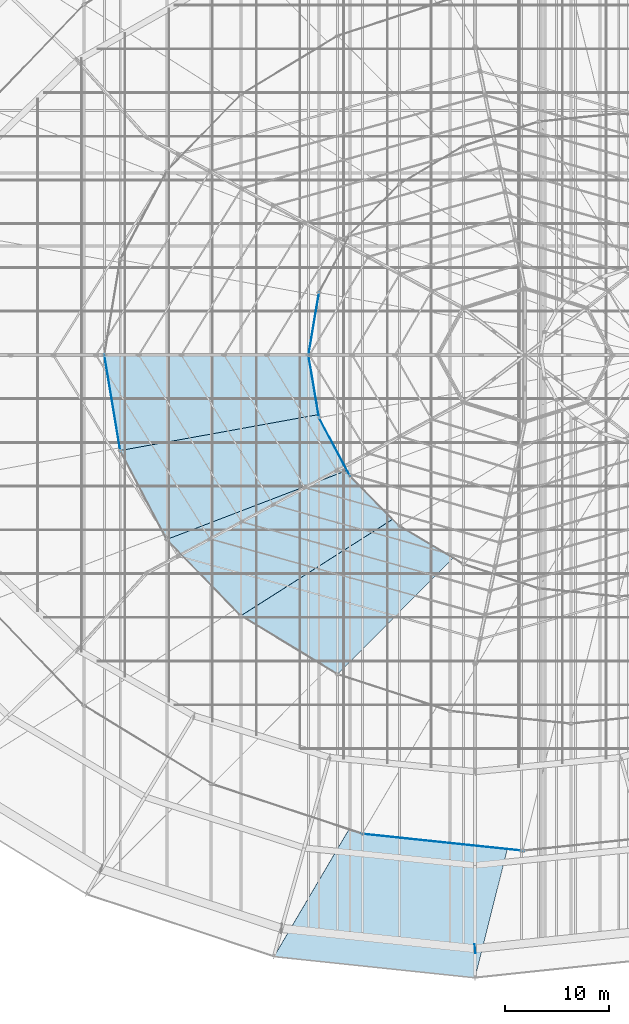
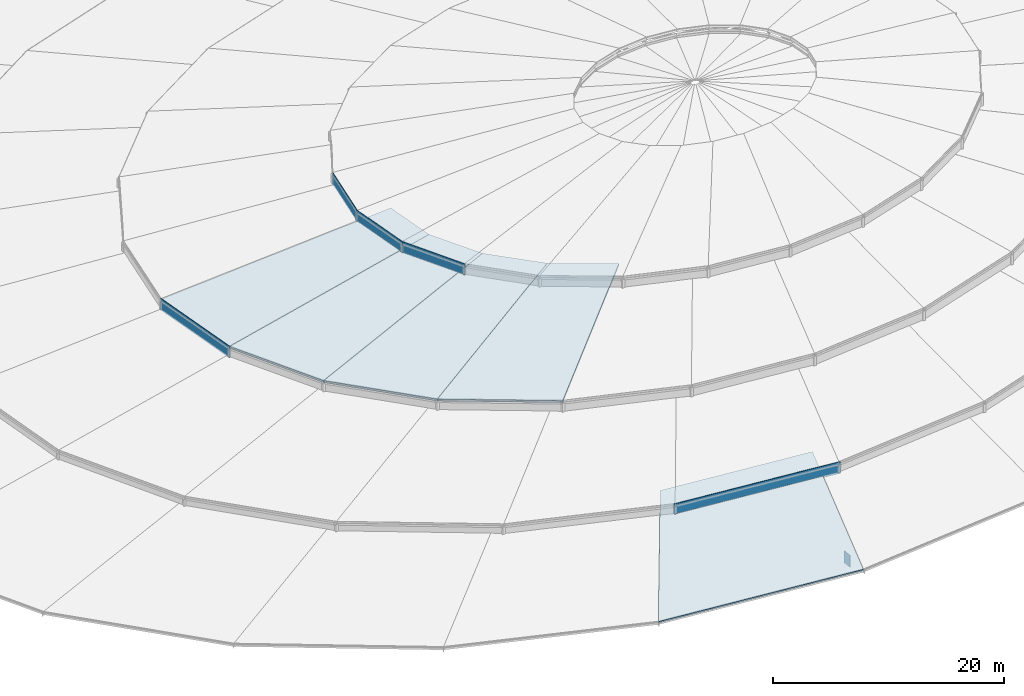
# One storey, part 140 of 184: 6 plates, 5 slabs.
"""IFC4 building model written with IfcOpenShell, lengths in metres."""

from ifc_helpers import new_model, si_unit, direction, frame, origin, origin_2d, place, context, subcontext, project, spatial, polyline, rectangle, outline, extrude, material, layer, layer_set, type_object, element, save


model = new_model("IFC4")

# Units and contexts
model_context = context("Model", 3, precision=1e-05, world=origin(), true_north=direction((0.0, 1.0)))
body_context = subcontext(model_context, "Body", "Model", "MODEL_VIEW")
ifc_project = project(units=[si_unit("LENGTHUNIT", "METRE"), si_unit("AREAUNIT", "SQUARE_METRE"), si_unit("VOLUMEUNIT", "CUBIC_METRE"), si_unit("PLANEANGLEUNIT", "RADIAN"), si_unit("MASSUNIT", "GRAM", prefix="KILO")], contexts=[model_context])

# Site, building, storey
site_placement = place(None, origin())
site = spatial("IfcSite", under=ifc_project, at=site_placement, CompositionType="ELEMENT")
building_placement = place(site_placement, origin())
building = spatial("IfcBuilding", under=site, at=building_placement, Name="Kalgoora Escarpment Arena", CompositionType="ELEMENT")
storey_placement = place(building_placement, frame((0.0, 0.0, 27.60009765625)))
storey = spatial("IfcBuildingStorey", under=building, at=storey_placement, Name="Roof Level", CompositionType="ELEMENT", Elevation=27.60009765625)

# Plates
ifc_material_1 = material(Name="Low-E double-glazed petal clerestory glass", Category="glass")
ifc_layer_1 = layer(ifc_material_1, 0.035888671875)
ifc_layer_set_1 = layer_set([ifc_layer_1], Name="PLT-PETAL-CLERESTORY")
plate_type_1 = type_object("IfcPlateType", Name="PLT-PETAL-CLERESTORY", PredefinedType="USERDEFINED", material=ifc_layer_set_1)
plate_1_placement = place(storey_placement, frame((89.287109375, 17.2109375, 0.260009765625), z_axis=(0.0, 0.0, 1.0), x_axis=(0.994521895368, -0.104528463268, 0.0)))
element("IfcPlate", 1, at=plate_1_placement, inside=storey, type_object=plate_type_1, Name="Petal RP2 glazed clerestory collar panel S18", ObjectType="CLERESTORY PANEL", PredefinedType="USERDEFINED", context=body_context, shape_type="SweptSolid", body=[
    extrude(rectangle(XDim=15.743408203125, YDim=0.0400390625, at=origin_2d()), origin(), (0.0, 0.0, 1.0), 1.25),
])
plate_2_placement = place(storey_placement, frame((57.563232421875, 59.4189453125, 2.7099609375), z_axis=(0.0, 0.0, 1.0), x_axis=(0.164359008451, -0.986400586142, 0.0)))
element("IfcPlate", 2, at=plate_2_placement, inside=storey, type_object=plate_type_1, Name="Petal RP3 glazed clerestory collar panel S13", ObjectType="CLERESTORY PANEL", PredefinedType="USERDEFINED", context=body_context, shape_type="SweptSolid", body=[
    extrude(rectangle(XDim=9.427734375, YDim=0.0400390625, at=origin_2d()), origin(), (0.0, 0.0, 1.0), 1.25),
])
for number, where, z_axis, x_axis, name in (
    (3, (76.90771484375, 67.002197265625, 5.159912109375), (0.0, 0.0, 1.0), (-0.166768746716, -0.985996037071, 0.0), "Petal RP4 glazed clerestory collar panel S12"),
    (4, (76.90771484375, 60.997802734375, 5.159912109375), (0.0, 0.0, 1.0), (0.166768746716, -0.985996037071, 0.0), "Petal RP4 glazed clerestory collar panel S13"),
):
    element("IfcPlate", number, at=place(storey_placement, frame(where, z_axis=z_axis, x_axis=x_axis)), inside=storey, type_object=plate_type_1, Name=name, ObjectType="CLERESTORY PANEL", PredefinedType="USERDEFINED", context=body_context, shape_type="SweptSolid", body=[
        extrude(rectangle(XDim=6.18115234375, YDim=0.0400390625, at=origin_2d()), origin(), (0.0, 0.0, 1.0), 1.25),
    ])
plate_3_placement = place(storey_placement, frame((78.90380859375, 55.19775390625, 5.159912109375), z_axis=(0.0, 0.0, 1.0), x_axis=(0.469625659061, -0.882865641166, 0.0)))
element("IfcPlate", 5, at=plate_3_placement, inside=storey, type_object=plate_type_1, Name="Petal RP4 glazed clerestory collar panel S14", ObjectType="CLERESTORY PANEL", PredefinedType="USERDEFINED", context=body_context, shape_type="SweptSolid", body=[
    extrude(rectangle(XDim=6.43310546875, YDim=0.0400390625, at=origin_2d()), origin(), (0.0, 0.0, 1.0), 1.25),
])
ifc_material_2 = material(Name="Structural steel Grade 350 (350 MPa)", Category="steel")
ifc_layer_2 = layer(ifc_material_2, 0.031982421875)
ifc_layer_set_2 = layer_set([ifc_layer_2], Name="PLT-RING-DIAPH")
plate_type_2 = type_object("IfcPlateType", Name="PLT-RING-DIAPH", PredefinedType="USERDEFINED", material=ifc_layer_set_2)
plate_4_placement = place(storey_placement, frame((92.39990234375, 7.0, -2.09033203125), z_axis=(0.0, 0.0, 1.0), x_axis=(0.994576490014, 0.104007718516, 0.0)))
element("IfcPlate", 6, at=plate_4_placement, inside=storey, type_object=plate_type_2, Name="Compression ring node diaphragm plate 19", ObjectType="FLANGE PLATE", PredefinedType="USERDEFINED", context=body_context, shape_type="SweptSolid", body=[
    extrude(rectangle(XDim=0.031982421875, YDim=0.8798828125, at=origin_2d()), origin(), (0.0, 0.0, 1.0), 1.280029296875),
])

# Slabs
ifc_material_3 = material(Name="White acoustic composite Concrete N40 (fc' 40 MPa)", Category="concrete")
ifc_layer_3 = layer(ifc_material_3, 0.179931640625)
ifc_layer_set_3 = layer_set([ifc_layer_3], Name="SLB-PETAL-RP1")
slab_type_1 = type_object("IfcSlabType", Name="SLB-PETAL-RP1", PredefinedType="ROOF", material=ifc_layer_set_3)
slab_1_placement = place(storey_placement, frame((73.092041015625, 6.237548828125, -0.840087890625), z_axis=(-0.010490272751, -0.099465205512, 0.994985742144), x_axis=(0.9944776487, -0.104948588341, -6.423336e-06)))
element("IfcSlab", 7, at=slab_1_placement, inside=storey, type_object=slab_type_1, Name="Shifted white roof petal RP1 sector 18", PredefinedType="ROOF", context=body_context, shape_type="SweptSolid", body=[
    extrude(outline(polyline([(0.0, 0.0), (19.41507953265066, -4.440892098500626e-16), (21.666424018098528, 16.00455223114372), (7.248920450122122, 15.99749742785811), (0.0, 0.0)])), origin(), (0.0, 0.0, -1.0), 0.179931640625),
])
ifc_material_4 = material(Name="White acoustic composite Concrete N40 (fc' 40 MPa)", Category="concrete")
ifc_layer_4 = layer(ifc_material_4, 0.215087890625)
ifc_layer_set_4 = layer_set([ifc_layer_4], Name="SLB-PETAL-RP3")
slab_type_2 = type_object("IfcSlabType", Name="SLB-PETAL-RP3", PredefinedType="ROOF", material=ifc_layer_set_4)
slab_2_placement = place(storey_placement, frame((56.800048828125, 64.0, 3.89990234375), z_axis=(-0.06966674194, -0.011610852884, 0.997502748449), x_axis=(0.164331110834, -0.986405234166, -4.604466e-06)))
element("IfcSlab", 8, at=slab_2_placement, inside=storey, type_object=slab_type_2, Name="Shifted white roof petal RP3 sector 13", PredefinedType="ROOF", context=body_context, shape_type="SweptSolid", body=[
    extrude(outline(polyline([(0.0, 0.0), (9.288382258967449, 0.0), (8.964120872787953, 22.68017717030689), (3.764803938453323, 22.65503556986817), (0.0, 0.0)])), origin(), (0.0, 0.0, -1.0), 0.215087890625),
])
slab_3_placement = place(storey_placement, frame((58.326416015625, 54.837890625, 3.89990234375), z_axis=(-0.065454905837, -0.03431041912, 0.997265486439), x_axis=(0.464282280002, -0.885687283681, 1.254438e-06)))
element("IfcSlab", 9, at=slab_3_placement, inside=storey, type_object=slab_type_2, Name="Shifted white roof petal RP3 sector 14", PredefinedType="ROOF", context=body_context, shape_type="SweptSolid", body=[
    extrude(outline(polyline([(0.0, 0.0), (9.639793152981367, -4.440892098500626e-16), (12.186268505071375, 21.71739227223393), (6.760128045141189, 21.651576818644184), (0.0, 0.0)])), origin(), (0.0, 0.0, -1.0), 0.215087890625),
])
slab_4_placement = place(storey_placement, frame((62.802001953125, 46.300048828125, 3.89990234375), z_axis=(-0.057082030828, -0.055445521475, 0.996828689347), x_axis=(0.696663314864, -0.717398233641, -9.592775e-06)))
element("IfcSlab", 10, at=slab_4_placement, inside=storey, type_object=slab_type_2, Name="Shifted white roof petal RP3 sector 15", PredefinedType="ROOF", context=body_context, shape_type="SweptSolid", body=[
    extrude(outline(polyline([(0.0, 0.0), (10.219620250071241, 0.0), (14.389760650967728, 20.19200566595669), (8.591444835224946, 20.107239732571887), (0.0, 0.0)])), origin(), (0.0, 0.0, -1.0), 0.215087890625),
])
slab_5_placement = place(storey_placement, frame((69.921630859375, 38.968505859375, 3.89990234375), z_axis=(-0.044851179069, -0.073983105236, 0.996250406211), x_axis=(0.855095633853, -0.51847030477, -6.018291e-06)))
element("IfcSlab", 11, at=slab_5_placement, inside=storey, type_object=slab_type_2, Name="Shifted white roof petal RP3 sector 16", PredefinedType="ROOF", context=body_context, shape_type="SweptSolid", body=[
    extrude(outline(polyline([(0.0, 0.0), (10.850626392037887, -1.7763568394002505e-15), (15.313043899074737, 18.574760296704063), (9.112476697532475, 18.49456119323389), (0.0, 0.0)])), origin(), (0.0, 0.0, -1.0), 0.215087890625),
])

save(model, "model.ifc")
